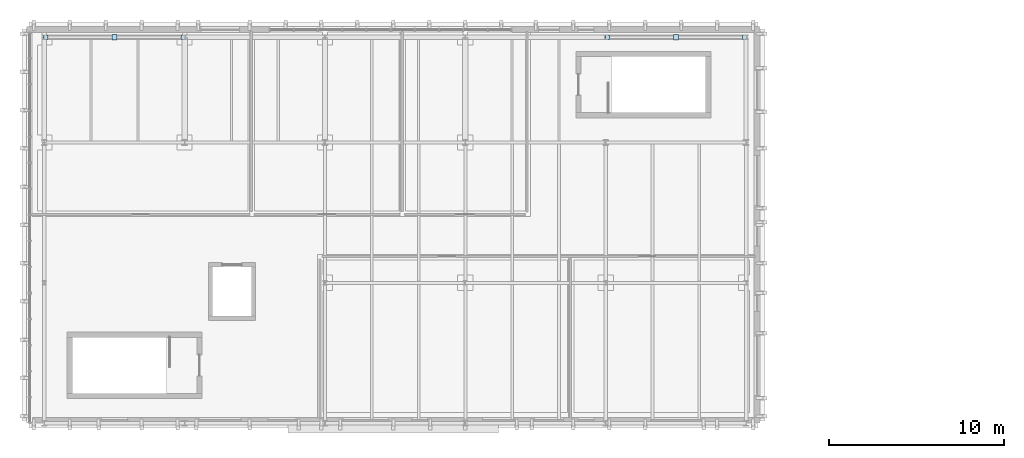
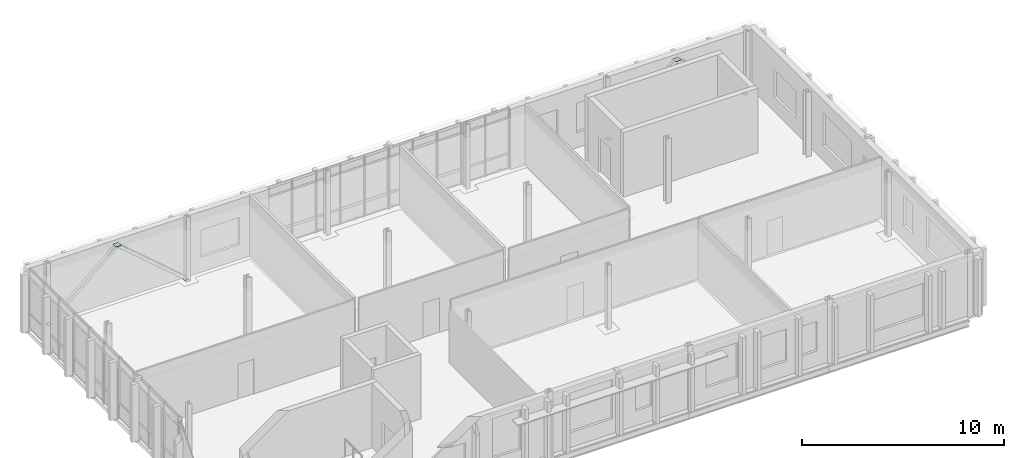
# One storey, part 24 of 40: 6 plates.
"""IFC4 building model written with IfcOpenShell, lengths in metres."""

from ifc_helpers import new_model, si_unit, direction, frame, origin, origin_2d, place, context, subcontext, project, spatial, rectangle, extrude, material, layer, layer_set, type_object, element, save


model = new_model("IFC4")

# Units and contexts
model_context = context("Model", 3, precision=1e-05, world=origin(), true_north=direction((0.0, 1.0)))
body_context = subcontext(model_context, "Body", "Model", "MODEL_VIEW")
ifc_project = project(units=[si_unit("LENGTHUNIT", "METRE"), si_unit("AREAUNIT", "SQUARE_METRE"), si_unit("VOLUMEUNIT", "CUBIC_METRE"), si_unit("PLANEANGLEUNIT", "RADIAN"), si_unit("MASSUNIT", "GRAM", prefix="KILO")], contexts=[model_context])

# Site, building, storey
site_placement = place(None, origin())
site = spatial("IfcSite", under=ifc_project, at=site_placement, CompositionType="ELEMENT")
building_placement = place(site_placement, origin())
building = spatial("IfcBuilding", under=site, at=building_placement, Name="Cymarion Research Institute", CompositionType="ELEMENT")
storey_placement = place(building_placement, frame((0.0, 0.0, 26.699951171875)))
storey = spatial("IfcBuildingStorey", under=building, at=storey_placement, Name="L06", CompositionType="ELEMENT", Elevation=26.699951171875)

# Plates
ifc_material = material(Name="Steel S355", Category="steel")
ifc_layer_1 = layer(ifc_material, 0.01806640625)
ifc_layer_set_1 = layer_set([ifc_layer_1], Name="Steel S355")
plate_type_1 = type_object("IfcPlateType", Name="STEEL NODE GUSSET PLATE CP01 18MM", PredefinedType="USERDEFINED", material=ifc_layer_set_1)
for number, where, z_axis, x_axis, name in (
    (1, (10.60009765625, 115.5, 3.531005859375), (0.0, 0.0, 1.0), (1.0, 0.0, 0.0), "L06 V5 chevron apex gusset plate"),
    (2, (42.60009765625, 115.5, 3.531005859375), (0.0, 0.0, 1.0), (1.0, 0.0, 0.0), "L06 V5 chevron apex gusset plate"),
):
    element("IfcPlate", number, at=place(storey_placement, frame(where, z_axis=z_axis, x_axis=x_axis)), inside=storey, type_object=plate_type_1, Name=name, ObjectType="GUSSET PLATE", PredefinedType="USERDEFINED", context=body_context, shape_type="SweptSolid", body=[
        extrude(rectangle(XDim=0.300048828125, YDim=0.300048828125, at=origin_2d()), origin(), (0.0, 0.0, 1.0), 0.01806640625),
    ])
ifc_layer_2 = layer(ifc_material, 0.011962890625)
ifc_layer_set_2 = layer_set([ifc_layer_2], Name="Steel S355")
plate_type_2 = type_object("IfcPlateType", Name="STEEL NODE GUSSET PLATE CP02 12MM", PredefinedType="USERDEFINED", material=ifc_layer_set_2)
for number, where, z_axis, x_axis, name in (
    (3, (6.691162109375, 115.5, 0.1142578125), (0.0, 0.0, 1.0), (1.0, 0.0, 0.0), "L06 V5 chevron base gusset plate #1"),
    (4, (14.5087890625, 115.5, 0.1142578125), (0.0, 0.0, 1.0), (1.0, 0.0, 0.0), "L06 V5 chevron base gusset plate #2"),
    (5, (38.691162109375, 115.5, 0.1142578125), (0.0, 0.0, 1.0), (1.0, 0.0, 0.0), "L06 V5 chevron base gusset plate #1"),
    (6, (46.5087890625, 115.5, 0.1142578125), (0.0, 0.0, 1.0), (1.0, 0.0, 0.0), "L06 V5 chevron base gusset plate #2"),
):
    element("IfcPlate", number, at=place(storey_placement, frame(where, z_axis=z_axis, x_axis=x_axis)), inside=storey, type_object=plate_type_2, Name=name, ObjectType="GUSSET PLATE", PredefinedType="USERDEFINED", context=body_context, shape_type="SweptSolid", body=[
        extrude(rectangle(XDim=0.239990234375, YDim=0.239990234375, at=origin_2d()), origin(), (0.0, 0.0, 1.0), 0.011962890625),
    ])

save(model, "model.ifc")
